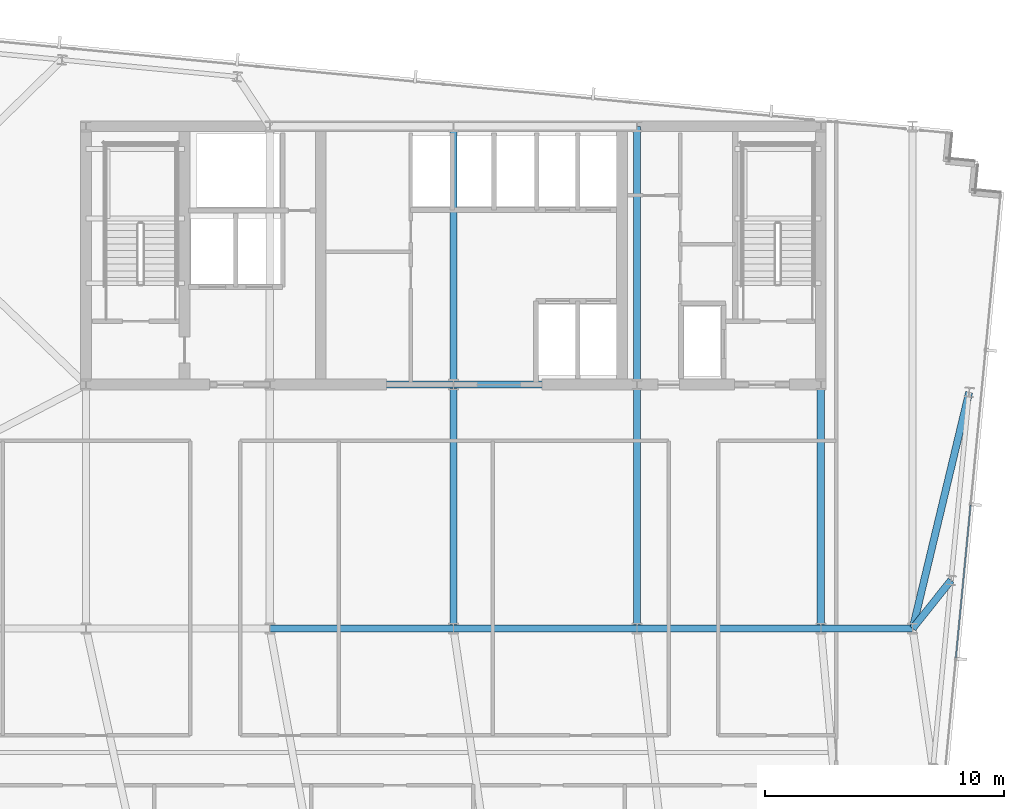
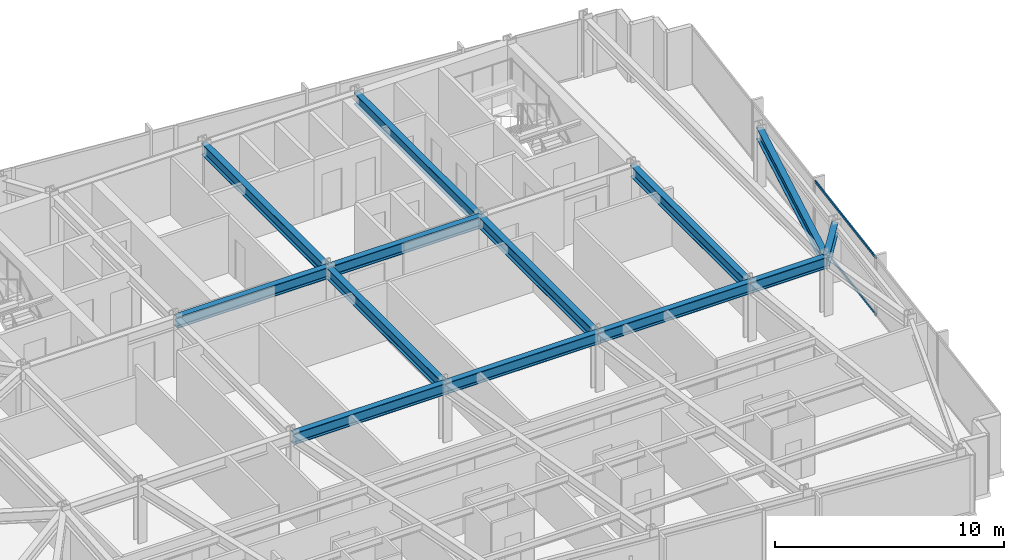
# One storey, part 17 of 36: 13 beams, 2 members, 1 element without a shape of its own.
"""IFC4 building model written with IfcOpenShell, lengths in metres."""

from ifc_helpers import new_model, si_unit, direction, frame, origin, origin_2d, place, context, subcontext, project, spatial, hollow_rectangle, i_section, extrude, material, material_profile, profile_set, type_object, element, aggregate, save


model = new_model("IFC4")

# Units and contexts
model_context = context("Model", 3, precision=1e-05, world=origin(), true_north=direction((0.0, 1.0)))
body_context = subcontext(model_context, "Body", "Model", "MODEL_VIEW")
ifc_project = project(units=[si_unit("LENGTHUNIT", "METRE"), si_unit("AREAUNIT", "SQUARE_METRE"), si_unit("VOLUMEUNIT", "CUBIC_METRE"), si_unit("PLANEANGLEUNIT", "RADIAN"), si_unit("MASSUNIT", "GRAM", prefix="KILO")], contexts=[model_context])

# Site, building, storey
site_placement = place(None, origin())
site = spatial("IfcSite", under=ifc_project, at=site_placement, CompositionType="ELEMENT")
building_placement = place(site_placement, origin())
building = spatial("IfcBuilding", under=site, at=building_placement, Name="Yelkora Congress Tower", CompositionType="ELEMENT")
storey_placement = place(building_placement, frame((0.0, 0.0, 152.300048828125)))
storey = spatial("IfcBuildingStorey", under=building, at=storey_placement, Name="L41", CompositionType="ELEMENT", Elevation=152.300048828125)

# Beams
ifc_material_1 = material(Name="Steel S355J2", Category="steel")
ifc_material_profile_1 = material_profile(ifc_material_1, i_section(OverallWidth=0.300048828125, OverallDepth=0.60009765625, WebThickness=0.015380859375, FlangeThickness=0.030029296875, FilletRadius=0.027099609375, at=origin_2d()), Name="HEB 600")
ifc_profile_set_1 = profile_set([ifc_material_profile_1], Name="Steel S355J2")
beam_type = type_object("IfcBeamType", Name="BM-GIRD-HEB600", PredefinedType="BEAM", material=ifc_profile_set_1)
beam_1_placement = place(storey_placement, frame((30.719970703125, 25.199951171875, 2.780029296875), z_axis=(1.0, 0.0, 0.0), x_axis=(0.0, 1.0, 0.0)))
element("IfcBeam", 1, at=beam_1_placement, inside=storey, type_object=beam_type, Name="L41 Spine Grid D Girder 3", PredefinedType="BEAM", context=body_context, shape_type="SweptSolid", body=[
    extrude(i_section(OverallWidth=0.300048828125, OverallDepth=0.60009765625, WebThickness=0.015380859375, FlangeThickness=0.030029296875, FilletRadius=0.027099609375, at=origin_2d()), origin(), (0.0, 0.0, 1.0), 7.679931640625),
])
beam_2_placement = place(storey_placement, frame((38.39990234375, 25.199951171875, 2.780029296875), z_axis=(1.0, 0.0, 0.0), x_axis=(0.0, 1.0, 0.0)))
element("IfcBeam", 2, at=beam_2_placement, inside=storey, type_object=beam_type, Name="L41 Spine Grid D Girder 4", PredefinedType="BEAM", context=body_context, shape_type="SweptSolid", body=[
    extrude(i_section(OverallWidth=0.300048828125, OverallDepth=0.60009765625, WebThickness=0.015380859375, FlangeThickness=0.030029296875, FilletRadius=0.027099609375, at=origin_2d()), origin(), (0.0, 0.0, 1.0), 7.68017578125),
])
beam_3_placement = place(storey_placement, frame((46.080078125, 25.199951171875, 2.780029296875), z_axis=(1.0, 0.0, 0.0), x_axis=(0.0, 1.0, 0.0)))
element("IfcBeam", 3, at=beam_3_placement, inside=storey, type_object=beam_type, Name="L41 Spine Grid D Girder 5", PredefinedType="BEAM", context=body_context, shape_type="SweptSolid", body=[
    extrude(i_section(OverallWidth=0.300048828125, OverallDepth=0.60009765625, WebThickness=0.015380859375, FlangeThickness=0.030029296875, FilletRadius=0.027099609375, at=origin_2d()), origin(), (0.0, 0.0, 1.0), 7.679931640625),
])
beam_4_placement = place(storey_placement, frame((53.760009765625, 25.199951171875, 2.780029296875), z_axis=(1.0, 0.0, 0.0), x_axis=(0.0, 1.0, 0.0)))
element("IfcBeam", 4, at=beam_4_placement, inside=storey, type_object=beam_type, Name="L41 Spine Grid D Girder 6", PredefinedType="BEAM", context=body_context, shape_type="SweptSolid", body=[
    extrude(i_section(OverallWidth=0.300048828125, OverallDepth=0.60009765625, WebThickness=0.015380859375, FlangeThickness=0.030029296875, FilletRadius=0.027099609375, at=origin_2d()), origin(), (0.0, 0.0, 1.0), 3.840087890625),
])
beam_5_placement = place(storey_placement, frame((30.719970703125, 35.39990234375, 2.780029296875), z_axis=(1.0, 0.0, 0.0), x_axis=(0.0, 1.0, 0.0)))
element("IfcBeam", 5, at=beam_5_placement, inside=storey, type_object=beam_type, Name="L41 Core South Girder 2", PredefinedType="BEAM", context=body_context, shape_type="SweptSolid", body=[
    extrude(i_section(OverallWidth=0.300048828125, OverallDepth=0.60009765625, WebThickness=0.015380859375, FlangeThickness=0.030029296875, FilletRadius=0.027099609375, at=origin_2d()), origin(), (0.0, 0.0, 1.0), 7.679931640625),
])
beam_6_placement = place(storey_placement, frame((38.39990234375, 35.39990234375, 2.780029296875), z_axis=(1.0, 0.0, 0.0), x_axis=(0.0, 1.0, 0.0)))
element("IfcBeam", 6, at=beam_6_placement, inside=storey, type_object=beam_type, Name="L41 Core South Girder 3", PredefinedType="BEAM", context=body_context, shape_type="SweptSolid", body=[
    extrude(i_section(OverallWidth=0.300048828125, OverallDepth=0.60009765625, WebThickness=0.015380859375, FlangeThickness=0.030029296875, FilletRadius=0.027099609375, at=origin_2d()), origin(), (0.0, 0.0, 1.0), 7.68017578125),
])
beam_7_placement = place(storey_placement, frame((38.39990234375, 25.199951171875, 2.780029296875), z_axis=(0.0, 1.0, 0.0), x_axis=(-1.0, 0.0, 0.0)))
element("IfcBeam", 7, at=beam_7_placement, inside=storey, type_object=beam_type, Name="L41 Core Tie Girder MC-D3", PredefinedType="BEAM", context=body_context, shape_type="SweptSolid", body=[
    extrude(i_section(OverallWidth=0.300048828125, OverallDepth=0.60009765625, WebThickness=0.015380859375, FlangeThickness=0.030029296875, FilletRadius=0.027099609375, at=origin_2d()), origin(), (0.0, 0.0, 1.0), 10.199951171875),
])
beam_8_placement = place(storey_placement, frame((38.39990234375, 35.39990234375, 2.780029296875), z_axis=(0.0, 1.0, 0.0), x_axis=(-1.0, 0.0, 0.0)))
element("IfcBeam", 8, at=beam_8_placement, inside=storey, type_object=beam_type, Name="L41 Core Tie Girder MC-S3", PredefinedType="BEAM", context=body_context, shape_type="SweptSolid", body=[
    extrude(i_section(OverallWidth=0.300048828125, OverallDepth=0.60009765625, WebThickness=0.015380859375, FlangeThickness=0.030029296875, FilletRadius=0.027099609375, at=origin_2d()), origin(), (0.0, 0.0, 1.0), 10.800048828125),
])
beam_9_placement = place(storey_placement, frame((46.080078125, 25.199951171875, 2.780029296875), z_axis=(0.0, 1.0, 0.0), x_axis=(-1.0, 0.0, 0.0)))
element("IfcBeam", 9, at=beam_9_placement, inside=storey, type_object=beam_type, Name="L41 Core Tie Girder MC-D4", PredefinedType="BEAM", context=body_context, shape_type="SweptSolid", body=[
    extrude(i_section(OverallWidth=0.300048828125, OverallDepth=0.60009765625, WebThickness=0.015380859375, FlangeThickness=0.030029296875, FilletRadius=0.027099609375, at=origin_2d()), origin(), (0.0, 0.0, 1.0), 10.199951171875),
])
beam_10_placement = place(storey_placement, frame((46.080078125, 35.39990234375, 2.780029296875), z_axis=(0.0, 1.0, 0.0), x_axis=(-1.0, 0.0, 0.0)))
element("IfcBeam", 10, at=beam_10_placement, inside=storey, type_object=beam_type, Name="L41 Core Tie Girder MC-S4", PredefinedType="BEAM", context=body_context, shape_type="SweptSolid", body=[
    extrude(i_section(OverallWidth=0.300048828125, OverallDepth=0.60009765625, WebThickness=0.015380859375, FlangeThickness=0.030029296875, FilletRadius=0.027099609375, at=origin_2d()), origin(), (0.0, 0.0, 1.0), 10.800048828125),
])
beam_11_placement = place(storey_placement, frame((53.760009765625, 25.199951171875, 2.780029296875), z_axis=(0.0, 1.0, 0.0), x_axis=(-1.0, 0.0, 0.0)))
element("IfcBeam", 11, at=beam_11_placement, inside=storey, type_object=beam_type, Name="L41 Core Tie Girder MC-D5", PredefinedType="BEAM", context=body_context, shape_type="SweptSolid", body=[
    extrude(i_section(OverallWidth=0.300048828125, OverallDepth=0.60009765625, WebThickness=0.015380859375, FlangeThickness=0.030029296875, FilletRadius=0.027099609375, at=origin_2d()), origin(), (0.0, 0.0, 1.0), 10.199951171875),
])
beam_12_placement = place(storey_placement, frame((59.206298828125, 27.217529296875, 2.780029296875), z_axis=(-0.622834511353, -0.782353610248, 0.0), x_axis=(0.782353610248, -0.622834511353, 0.0)))
element("IfcBeam", 12, at=beam_12_placement, inside=storey, type_object=beam_type, Name="L41 Primary Frame Girder E02", PredefinedType="BEAM", context=body_context, shape_type="SweptSolid", body=[
    extrude(i_section(OverallWidth=0.300048828125, OverallDepth=0.60009765625, WebThickness=0.015380859375, FlangeThickness=0.030029296875, FilletRadius=0.027099609375, at=origin_2d()), origin(), (0.0, 0.0, 1.0), 2.578857421875),
])
beam_13_placement = place(storey_placement, frame((59.96337890625, 35.0810546875, 2.780029296875), z_axis=(-0.23261126158, -0.972569792347, 0.0), x_axis=(0.972569792347, -0.23261126158, 0.0)))
element("IfcBeam", 13, at=beam_13_placement, inside=storey, type_object=beam_type, Name="L41 Primary Frame Girder E03", PredefinedType="BEAM", context=body_context, shape_type="SweptSolid", body=[
    extrude(i_section(OverallWidth=0.300048828125, OverallDepth=0.60009765625, WebThickness=0.015380859375, FlangeThickness=0.030029296875, FilletRadius=0.027099609375, at=origin_2d()), origin(), (0.0, 0.0, 1.0), 10.15966796875),
])

# Curtain wall, members
ifc_material_2 = material(Name="Anodised aluminium and insulated glass", Category="aluminium")
curtain_wall_type = type_object("IfcCurtainWallType", Name="CW-SYS-B3", PredefinedType="NOTDEFINED", material=ifc_material_2)
curtain_wall_placement = place(storey_placement, origin())
curtain_wall = element("IfcCurtainWall", 14, at=curtain_wall_placement, inside=storey, type_object=curtain_wall_type, Name="L41 Unitised Curtain Wall 15", PredefinedType="NOTDEFINED")
ifc_material_3 = material(Name="Anodised aluminium 6063-T6", Category="aluminium")
ifc_material_profile_2 = material_profile(ifc_material_3, hollow_rectangle(XDim=0.06005859375, YDim=0.1298828125, WallThickness=0.00390625, at=origin_2d()), Name="ALU 60x130x4")
ifc_profile_set_2 = profile_set([ifc_material_profile_2], Name="Anodised aluminium 6063-T6")
member_type = type_object("IfcMemberType", Name="MEM-TR-B3", PredefinedType="USERDEFINED", material=ifc_profile_set_2)
member_1_placement = place(storey_placement, frame((60.021484375, 30.36083984375, 0.030029296875), z_axis=(-0.095843682057, -0.995396397728, 0.0), x_axis=(0.995396397728, -0.095843682057, 0.0)))
member_1 = element("IfcMember", 15, at=member_1_placement, type_object=member_type, Name="CW-B3 transom 3.1", ObjectType="TRANSOM", PredefinedType="USERDEFINED", context=body_context, shape_type="SweptSolid", body=[
    extrude(hollow_rectangle(XDim=0.06005859375, YDim=0.1298828125, WallThickness=0.00390625, at=origin_2d()), origin(), (0.0, 0.0, 1.0), 6.4140625),
])
member_2_placement = place(storey_placement, frame((60.021484375, 30.36083984375, 3.050048828125), z_axis=(-0.095843682057, -0.995396397728, 0.0), x_axis=(0.995396397728, -0.095843682057, 0.0)))
member_2 = element("IfcMember", 16, at=member_2_placement, type_object=member_type, Name="CW-B3 transom 3.2", ObjectType="TRANSOM", PredefinedType="USERDEFINED", context=body_context, shape_type="SweptSolid", body=[
    extrude(hollow_rectangle(XDim=0.06005859375, YDim=0.1298828125, WallThickness=0.00390625, at=origin_2d()), origin(), (0.0, 0.0, 1.0), 6.4140625),
])
aggregate(curtain_wall, [member_1, member_2])

save(model, "model.ifc")
